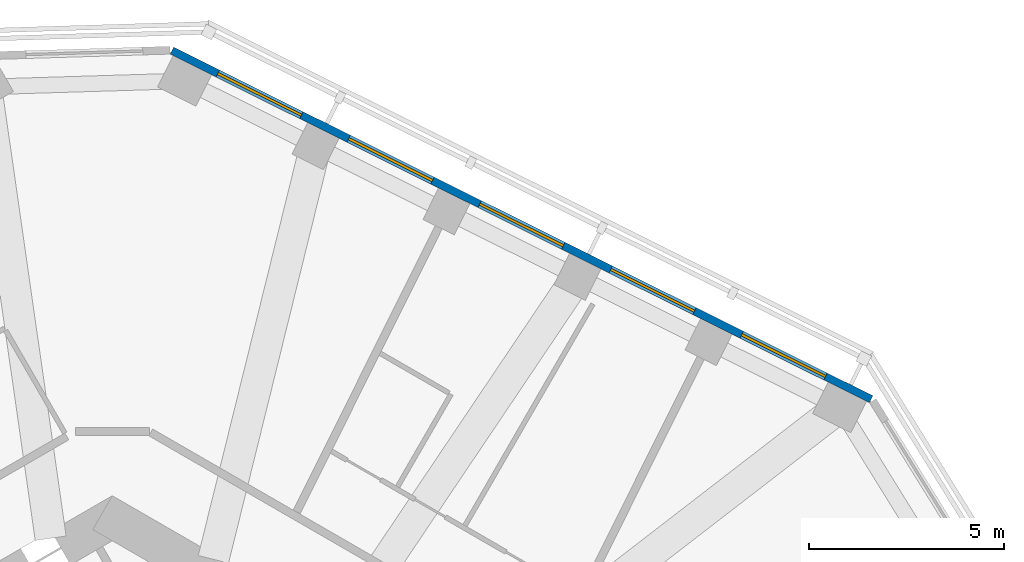
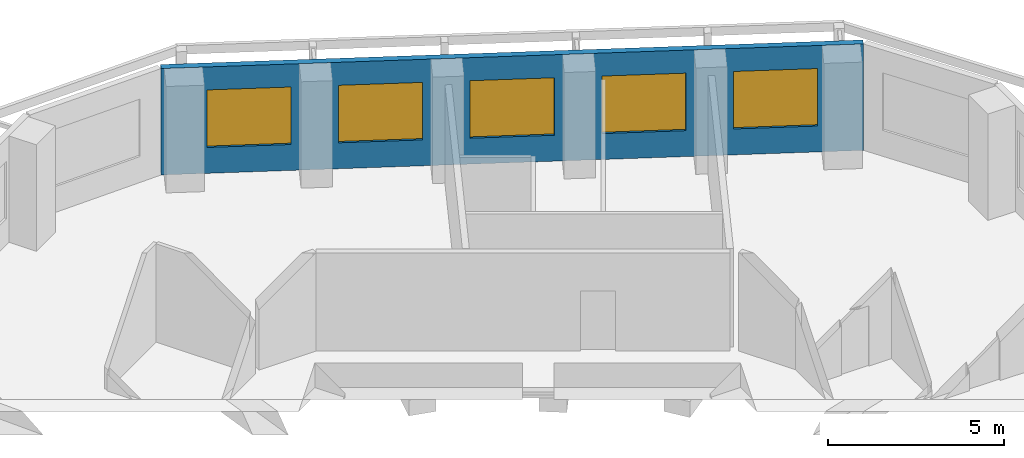
# One storey, part 8 of 11: 5 windows, 1 wall, 5 openings.
"""IFC4 building model written with IfcOpenShell, lengths in metres."""

import ifcopenshell
import ifcopenshell.guid

model = None  # the IFC model being written
_history = None  # IfcOwnerHistory: only IFC2X3 demands one
_inside = {}  # id of a spatial element -> (the spatial element, [elements in it])
_under = {}  # id of a project, library or spatial element -> (it, [spatial elements below it])
_declared = {}  # id of a project -> (the project, [libraries it declares])
_typed = {}  # id of a type object -> (the type object, [elements of that type])
_made_of = {}  # id of a material, layer set ... -> (it, [elements and type objects made of it])


def new_model(schema):
    """Start an empty IFC model of exactly this schema.

    Asked for "IFC4X3", IfcOpenShell would pick the latest addendum, in which some entities
    have other attributes; the version numbers below select the first issue.
    IFC2X3 requires an IfcOwnerHistory on every rooted entity: one is made here for all.
    """
    global model, _history
    if schema == "IFC4X3":
        model = ifcopenshell.file(schema_version=(4, 3, 0, 0))
    else:
        model = ifcopenshell.file(schema=schema)
    _inside.clear()
    _under.clear()
    _declared.clear()
    _typed.clear()
    _made_of.clear()
    _history = None
    if model.schema == "IFC2X3":
        org = make("IfcOrganization", Name="unknown")
        user = make(
            "IfcPersonAndOrganization",
            ThePerson=make("IfcPerson", FamilyName="unknown"),
            TheOrganization=org,
        )
        app = make(
            "IfcApplication",
            ApplicationDeveloper=org,
            Version="unknown",
            ApplicationFullName="unknown",
            ApplicationIdentifier="unknown",
        )
        _history = make(
            "IfcOwnerHistory",
            OwningUser=user,
            OwningApplication=app,
            ChangeAction="ADDED",
            CreationDate=0,
        )
    return model


def make(cls, **values):
    """One entity of the class cls with the attributes given. An attribute that is None is left unset."""
    return model.create_entity(
        cls, **{name: value for name, value in values.items() if value is not None}
    )


def rooted(cls, **values):
    """An entity with a GlobalId (a new one), such as an element, a storey or a relation."""
    return make(cls, GlobalId=ifcopenshell.guid.new(), OwnerHistory=_history, **values)


def si_unit(unit_type, name, prefix=None):
    """IfcSIUnit, for example si_unit("LENGTHUNIT", "METRE", prefix="MILLI")."""
    return make("IfcSIUnit", UnitType=unit_type, Prefix=prefix, Name=name)


def assignment(units):
    """IfcUnitAssignment: the units of a project."""
    return None if units is None else make("IfcUnitAssignment", Units=units)


def point(xyz):
    """IfcCartesianPoint."""
    return None if xyz is None else make("IfcCartesianPoint", Coordinates=xyz)


def direction(xyz):
    """IfcDirection."""
    return None if xyz is None else make("IfcDirection", DirectionRatios=xyz)


def frame(location, z_axis=None, x_axis=None):
    """IfcAxis2Placement3D, a coordinate frame: its origin and axes. An axis left out is left unset."""
    return make(
        "IfcAxis2Placement3D",
        Location=point(location),
        Axis=direction(z_axis),
        RefDirection=direction(x_axis),
    )


def frame_2d(location, x_axis=None):
    """IfcAxis2Placement2D, a coordinate frame in the plane: its origin and x axis."""
    return make(
        "IfcAxis2Placement2D", Location=point(location), RefDirection=direction(x_axis)
    )


def origin():
    """The frame at (0, 0, 0) with its axes left unset."""
    return frame((0.0, 0.0, 0.0))


def place(relative_to, where):
    """IfcLocalPlacement: puts the frame where relative to a parent placement (None: the world)."""
    return make(
        "IfcLocalPlacement", PlacementRelTo=relative_to, RelativePlacement=where
    )


def context(
    kind, dimensions, precision=None, world=None, true_north=None, identifier=None
):
    """IfcGeometricRepresentationContext, for example the 3D "Model" context."""
    return make(
        "IfcGeometricRepresentationContext",
        ContextIdentifier=identifier,
        ContextType=kind,
        CoordinateSpaceDimension=dimensions,
        Precision=precision,
        WorldCoordinateSystem=world,
        TrueNorth=true_north,
    )


def subcontext(parent, identifier, kind, view, scale=None):
    """IfcGeometricRepresentationSubContext, for example "Body" below "Model"."""
    return make(
        "IfcGeometricRepresentationSubContext",
        ContextIdentifier=identifier,
        ContextType=kind,
        ParentContext=parent,
        TargetScale=scale,
        TargetView=view,
    )


def project(units=None, contexts=None):
    """IfcProject with its units and contexts."""
    return rooted(
        "IfcProject",
        Name="project",
        RepresentationContexts=contexts,
        UnitsInContext=assignment(units),
    )


def spatial(cls, under=None, at=None, **own):
    """A site, building, storey or space (cls), placed at a placement, below another one or the project."""
    s = rooted(cls, ObjectPlacement=at, **own)
    if under is not None:
        _under.setdefault(under.id(), (under, []))[1].append(s)
    return s


def profile(cls, at=None, kind="AREA", **sizes):
    """A parametric profile (cls). Its sizes go by their IFC names, for example OverallWidth=200.0."""
    return make(cls, ProfileType=kind, Position=at, **sizes)


def rectangle(**sizes):
    """IfcRectangleProfileDef."""
    return profile("IfcRectangleProfileDef", **sizes)


def extrude(swept, where, along, depth):
    """IfcExtrudedAreaSolid: the profile swept, set in the frame where, extruded along a direction by depth."""
    return make(
        "IfcExtrudedAreaSolid",
        SweptArea=swept,
        Position=where,
        ExtrudedDirection=direction(along),
        Depth=depth,
    )


def shape(context_of_items, identifier, shape_type, items):
    """IfcShapeRepresentation: the items that make up one representation, for example the "Body"."""
    return make(
        "IfcShapeRepresentation",
        ContextOfItems=context_of_items,
        RepresentationIdentifier=identifier,
        RepresentationType=shape_type,
        Items=items,
    )


def material(Name=None, Category=None):
    """IfcMaterial."""
    return make("IfcMaterial", Name=Name, Category=Category)


def layer(
    of_material, thickness, ventilated=None, Name=None, Category=None, Priority=None
):
    """IfcMaterialLayer: one layer of a wall or slab, of a material (None: an air gap)."""
    return make(
        "IfcMaterialLayer",
        Material=of_material,
        LayerThickness=thickness,
        IsVentilated=ventilated,
        Name=Name,
        Category=Category,
        Priority=Priority,
    )


def layer_set(layers, Name=None):
    """IfcMaterialLayerSet."""
    return make("IfcMaterialLayerSet", MaterialLayers=layers, LayerSetName=Name)


def made_of(thing, what):
    """Note that an element or type object is made of a material, layer set ...; save() writes the relation."""
    if what is not None:
        _made_of.setdefault(what.id(), (what, []))[1].append(thing)
    return thing


def type_object(cls, material=None, **own):
    """A type object (cls), such as IfcWallType, which elements share."""
    return made_of(rooted(cls, **own), material)


def element(
    cls,
    number,
    at=None,
    inside=None,
    cuts=None,
    type_object=None,
    material=None,
    context=None,
    identifier="Body",
    shape_type=None,
    held_by="IfcProductDefinitionShape",
    body=None,
    shapes=None,
    **own,
):
    """One element of the class cls, such as IfcWall. Its Tag is "e" and its number.

    at: its placement. inside: the storey or other place that contains it. cuts: it is an
    opening in that element (IfcRelVoidsElement). A single representation is given by context,
    identifier, shape_type and body (its items); several are given by shapes. held_by: the class
    of the entity that holds the representations. save() writes the other relations.
    """
    e = rooted(cls, Tag="e%d" % number, ObjectPlacement=at, **own)
    if body is not None:
        shapes = [shape(context, identifier, shape_type, body)]
    if shapes is not None:
        e.Representation = make(held_by, Representations=shapes)
    if inside is not None:
        _inside.setdefault(inside.id(), (inside, []))[1].append(e)
    if cuts is not None:
        rooted(
            "IfcRelVoidsElement", RelatingBuildingElement=cuts, RelatedOpeningElement=e
        )
    if type_object is not None:
        _typed.setdefault(type_object.id(), (type_object, []))[1].append(e)
    return made_of(e, material)


def fill(opening, filler):
    """IfcRelFillsElement: the door or window that sits in an opening."""
    return rooted(
        "IfcRelFillsElement",
        RelatingOpeningElement=opening,
        RelatedBuildingElement=filler,
    )


def aggregate(whole, parts):
    """IfcRelAggregates: a whole, such as a stair, and the parts it consists of."""
    return rooted("IfcRelAggregates", RelatingObject=whole, RelatedObjects=parts)


def save(model, path):
    """Write the relations noted so far, then the file.

    IfcRelAggregates (storeys below a building ...), IfcRelContainedInSpatialStructure (elements
    in a storey), IfcRelDefinesByType, IfcRelAssociatesMaterial and IfcRelDeclares: one each for
    every whole, place, type object, material and project.
    """
    for whole, parts in _under.values():
        aggregate(whole, parts)
    for where, things in _inside.values():
        rooted(
            "IfcRelContainedInSpatialStructure",
            RelatedElements=things,
            RelatingStructure=where,
        )
    for kind, things in _typed.values():
        rooted("IfcRelDefinesByType", RelatedObjects=things, RelatingType=kind)
    for what, things in _made_of.values():
        rooted("IfcRelAssociatesMaterial", RelatedObjects=things, RelatingMaterial=what)
    for by, libraries in _declared.values():
        rooted("IfcRelDeclares", RelatingContext=by, RelatedDefinitions=libraries)
    model.write(path)


model = new_model("IFC4")

# Units and contexts
model_context = context("Model", 3, precision=1e-05, world=origin(), true_north=direction((0.0, 1.0)))
body_context = subcontext(model_context, "Body", "Model", "MODEL_VIEW")
ifc_project = project(units=[si_unit("LENGTHUNIT", "METRE"), si_unit("AREAUNIT", "SQUARE_METRE"), si_unit("VOLUMEUNIT", "CUBIC_METRE"), si_unit("PLANEANGLEUNIT", "RADIAN"), si_unit("MASSUNIT", "GRAM", prefix="KILO")], contexts=[model_context])

# Site, building, storey
site_placement = place(None, origin())
site = spatial("IfcSite", under=ifc_project, at=site_placement, CompositionType="ELEMENT")
building_placement = place(site_placement, origin())
building = spatial("IfcBuilding", under=site, at=building_placement, Name="Vanh Sen Convention Tower", CompositionType="ELEMENT")
storey_placement = place(building_placement, frame((0.0, 0.0, 183.60009765625)))
storey = spatial("IfcBuildingStorey", under=building, at=storey_placement, Name="L45", CompositionType="ELEMENT", Elevation=183.60009765625)

# Wall, openings, windows
ifc_material_1 = material(Name="Insulated lightweight infill wall")
ifc_layer = layer(ifc_material_1, 0.199951171875)
ifc_layer_set = layer_set([ifc_layer], Name="Insulated lightweight infill wall")
wall_type = type_object("IfcWallType", Name="External wall 200", PredefinedType="STANDARD", material=ifc_layer_set)
wall_placement = place(storey_placement, frame((19.46435546875, 14.598876953125, 0.0), z_axis=(0.0, 0.0, 1.0), x_axis=(-0.894935755043, 0.446195018289, 0.0)))
wall = element("IfcWall", 1, at=wall_placement, inside=storey, type_object=wall_type, Name="External wall NE L45", PredefinedType="STANDARD", context=body_context, shape_type="SweptSolid", body=[
    extrude(rectangle(XDim=20.043701171875, YDim=0.199951171875, at=frame_2d((10.02197265625, 0.0))), origin(), (0.0, 0.0, 1.0), 3.699951171875),
])
opening_1_placement = place(wall_placement, frame((1.31298828125, 0.0, 0.89990234375)))
opening_1 = element("IfcOpeningElement", 2, at=opening_1_placement, cuts=wall, Name="Opening WO1-NE1", PredefinedType="OPENING", context=body_context, shape_type="SweptSolid", body=[
    extrude(rectangle(XDim=2.39990234375, YDim=2.0, at=frame_2d((1.199951171875, 1.0))), frame((0.0, 0.10986328125, 0.0), z_axis=(0.0, -1.0, 0.0), x_axis=(1.0, 0.0, 0.0)), (0.0, 0.0, 1.0), 0.219970703125),
])
opening_2_placement = place(wall_placement, frame((5.06689453125, 0.0, 0.89990234375)))
opening_2 = element("IfcOpeningElement", 3, at=opening_2_placement, cuts=wall, Name="Opening WO1-NE2", PredefinedType="OPENING", context=body_context, shape_type="SweptSolid", body=[
    extrude(rectangle(XDim=2.39990234375, YDim=2.0, at=frame_2d((1.199951171875, 1.0))), frame((0.0, 0.10986328125, 0.0), z_axis=(0.0, -1.0, 0.0), x_axis=(1.0, 0.0, 0.0)), (0.0, 0.0, 1.0), 0.219970703125),
])
opening_3_placement = place(wall_placement, frame((8.821044921875, 0.0, 0.89990234375)))
opening_3 = element("IfcOpeningElement", 4, at=opening_3_placement, cuts=wall, Name="Opening WO1-NE3", PredefinedType="OPENING", context=body_context, shape_type="SweptSolid", body=[
    extrude(rectangle(XDim=2.39990234375, YDim=2.0, at=frame_2d((1.199951171875, 1.0))), frame((0.0, 0.10986328125, 0.0), z_axis=(0.0, -1.0, 0.0), x_axis=(1.0, 0.0, 0.0)), (0.0, 0.0, 1.0), 0.219970703125),
])
opening_4_placement = place(wall_placement, frame((12.5751953125, 0.0, 0.89990234375)))
opening_4 = element("IfcOpeningElement", 5, at=opening_4_placement, cuts=wall, Name="Opening WO1-NE4", PredefinedType="OPENING", context=body_context, shape_type="SweptSolid", body=[
    extrude(rectangle(XDim=2.39990234375, YDim=2.0, at=frame_2d((1.199951171875, 1.0))), frame((0.0, 0.10986328125, 0.0), z_axis=(0.0, -1.0, 0.0), x_axis=(1.0, 0.0, 0.0)), (0.0, 0.0, 1.0), 0.219970703125),
])
opening_5_placement = place(wall_placement, frame((16.329345703125, 0.0, 0.89990234375)))
opening_5 = element("IfcOpeningElement", 6, at=opening_5_placement, cuts=wall, Name="Opening WO1-NE5", PredefinedType="OPENING", context=body_context, shape_type="SweptSolid", body=[
    extrude(rectangle(XDim=2.39990234375, YDim=2.0, at=frame_2d((1.199951171875, 1.0))), frame((0.0, 0.10986328125, 0.0), z_axis=(0.0, -1.0, 0.0), x_axis=(1.0, 0.0, 0.0)), (0.0, 0.0, 1.0), 0.219970703125),
])
ifc_material_2 = material(Name="Aluminium frame with clear low-emissivity glass", Category="aluminium")
window_type = type_object("IfcWindowType", Name="Office window 2400 x 2000", PartitioningType="SINGLE_PANEL", PredefinedType="WINDOW", material=ifc_material_2)
window_1_placement = place(opening_1_placement, origin())
window_1 = element("IfcWindow", 7, at=window_1_placement, inside=storey, type_object=window_type, Name="Window WO1-NE1", OverallHeight=2.0, OverallWidth=2.39990234375, PartitioningType="SINGLE_PANEL", PredefinedType="WINDOW", context=body_context, shape_type="SweptSolid", body=[
    extrude(rectangle(XDim=2.39990234375, YDim=2.0, at=frame_2d((1.199951171875, 1.0))), frame((0.0, 0.030029296875, 0.0), z_axis=(0.0, -1.0, 0.0), x_axis=(1.0, 0.0, 0.0)), (0.0, 0.0, 1.0), 0.06005859375),
])
fill(opening_1, window_1)
window_2_placement = place(opening_2_placement, origin())
window_2 = element("IfcWindow", 8, at=window_2_placement, inside=storey, type_object=window_type, Name="Window WO1-NE2", OverallHeight=2.0, OverallWidth=2.39990234375, PartitioningType="SINGLE_PANEL", PredefinedType="WINDOW", context=body_context, shape_type="SweptSolid", body=[
    extrude(rectangle(XDim=2.39990234375, YDim=2.0, at=frame_2d((1.199951171875, 1.0))), frame((0.0, 0.030029296875, 0.0), z_axis=(0.0, -1.0, 0.0), x_axis=(1.0, 0.0, 0.0)), (0.0, 0.0, 1.0), 0.06005859375),
])
fill(opening_2, window_2)
window_3_placement = place(opening_3_placement, origin())
window_3 = element("IfcWindow", 9, at=window_3_placement, inside=storey, type_object=window_type, Name="Window WO1-NE3", OverallHeight=2.0, OverallWidth=2.39990234375, PartitioningType="SINGLE_PANEL", PredefinedType="WINDOW", context=body_context, shape_type="SweptSolid", body=[
    extrude(rectangle(XDim=2.39990234375, YDim=2.0, at=frame_2d((1.199951171875, 1.0))), frame((0.0, 0.030029296875, 0.0), z_axis=(0.0, -1.0, 0.0), x_axis=(1.0, 0.0, 0.0)), (0.0, 0.0, 1.0), 0.06005859375),
])
fill(opening_3, window_3)
window_4_placement = place(opening_4_placement, origin())
window_4 = element("IfcWindow", 10, at=window_4_placement, inside=storey, type_object=window_type, Name="Window WO1-NE4", OverallHeight=2.0, OverallWidth=2.39990234375, PartitioningType="SINGLE_PANEL", PredefinedType="WINDOW", context=body_context, shape_type="SweptSolid", body=[
    extrude(rectangle(XDim=2.39990234375, YDim=2.0, at=frame_2d((1.199951171875, 1.0))), frame((0.0, 0.030029296875, 0.0), z_axis=(0.0, -1.0, 0.0), x_axis=(1.0, 0.0, 0.0)), (0.0, 0.0, 1.0), 0.06005859375),
])
fill(opening_4, window_4)
window_5_placement = place(opening_5_placement, origin())
window_5 = element("IfcWindow", 11, at=window_5_placement, inside=storey, type_object=window_type, Name="Window WO1-NE5", OverallHeight=2.0, OverallWidth=2.39990234375, PartitioningType="SINGLE_PANEL", PredefinedType="WINDOW", context=body_context, shape_type="SweptSolid", body=[
    extrude(rectangle(XDim=2.39990234375, YDim=2.0, at=frame_2d((1.199951171875, 1.0))), frame((0.0, 0.030029296875, 0.0), z_axis=(0.0, -1.0, 0.0), x_axis=(1.0, 0.0, 0.0)), (0.0, 0.0, 1.0), 0.06005859375),
])
fill(opening_5, window_5)

save(model, "model.ifc")
